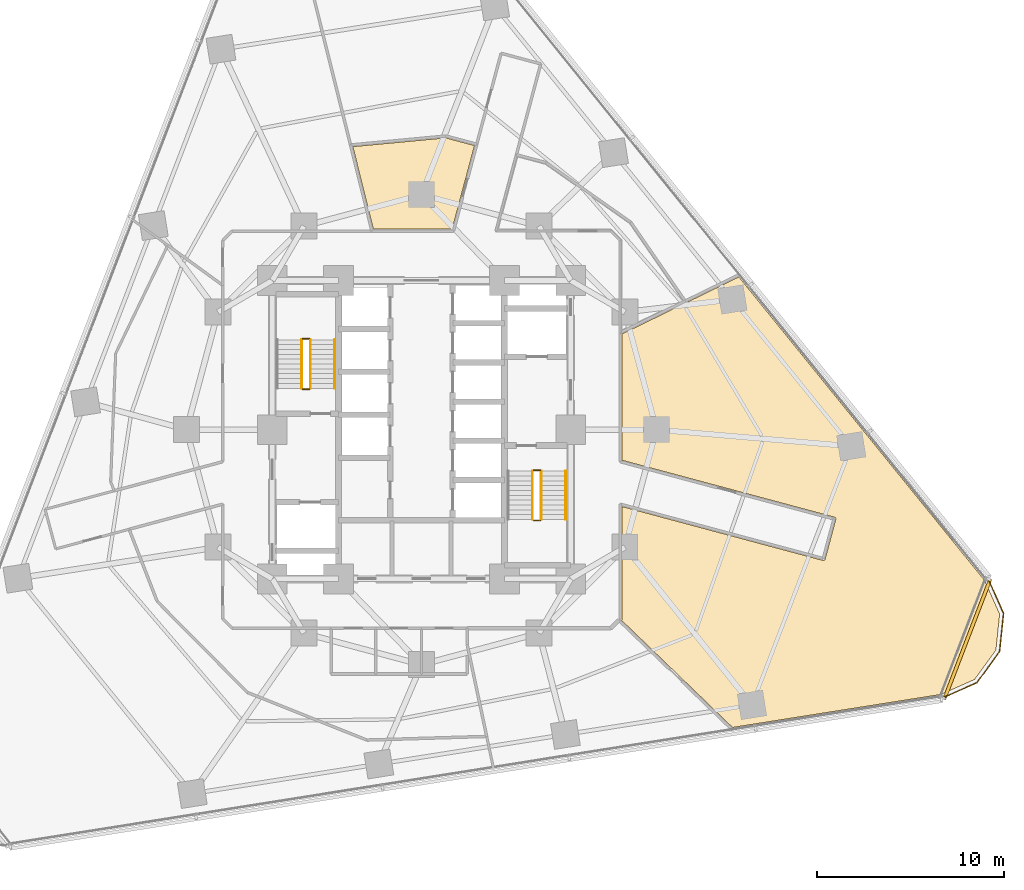
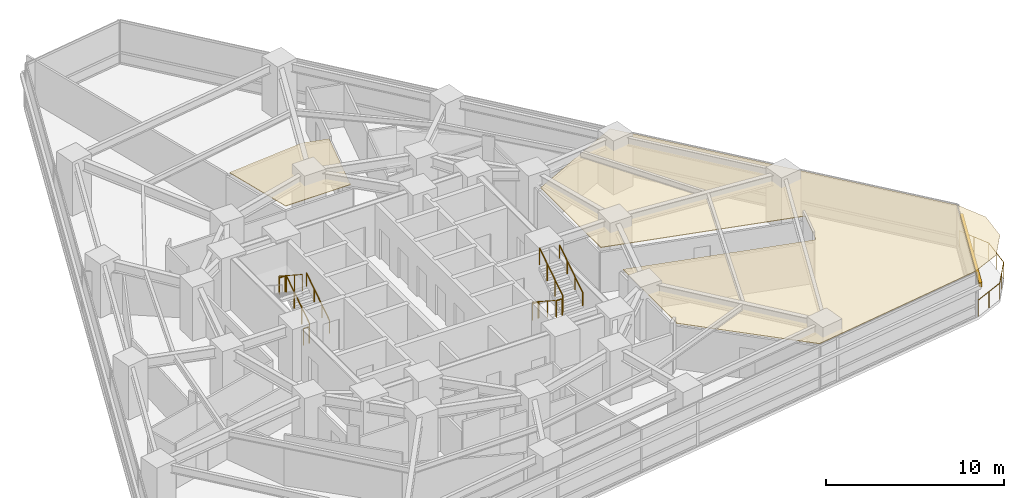
# One storey, part 13 of 14: 11 railings, 2 coverings, 1 shading device.
"""IFC4 building model written with IfcOpenShell, lengths in metres."""

from ifc_helpers import new_model, si_unit, direction, frame, origin, origin_2d, place, context, subcontext, project, spatial, polyline, rectangle, circle, outline, extrude, material, layer, layer_set, type_object, element, save


model = new_model("IFC4")

# Units and contexts
model_context = context("Model", 3, precision=1e-05, world=origin(), true_north=direction((0.0, 1.0)))
body_context = subcontext(model_context, "Body", "Model", "MODEL_VIEW")
ifc_project = project(units=[si_unit("LENGTHUNIT", "METRE"), si_unit("AREAUNIT", "SQUARE_METRE"), si_unit("VOLUMEUNIT", "CUBIC_METRE"), si_unit("PLANEANGLEUNIT", "RADIAN"), si_unit("MASSUNIT", "GRAM", prefix="KILO")], contexts=[model_context])

# Site, building, storey
site_placement = place(None, origin())
site = spatial("IfcSite", under=ifc_project, at=site_placement, CompositionType="ELEMENT")
building_placement = place(site_placement, origin())
building = spatial("IfcBuilding", under=site, at=building_placement, Name="Terralouvre Media Tower", CompositionType="ELEMENT")
storey_placement = place(building_placement, frame((0.0, 0.0, 74.10009765625)))
storey = spatial("IfcBuildingStorey", under=building, at=storey_placement, Name="L18", CompositionType="ELEMENT", Elevation=74.10009765625)

# Coverings
ifc_material_1 = material(Name="Perforated aluminium acoustic ceiling baffle", Category="aluminium")
ifc_layer_1 = layer(ifc_material_1, 0.0400390625, Name="Perforated Acoustic Metal Tile Ceiling CL-AC1")
ifc_layer_set_1 = layer_set([ifc_layer_1], Name="Perforated aluminium acoustic ceiling baffle")
covering_type = type_object("IfcCoveringType", Name="Perforated Acoustic Metal Tile Ceiling CL-AC1", PredefinedType="CEILING", material=ifc_layer_set_1)
covering_1_placement = place(storey_placement, frame((0.0, 0.0, 2.97998046875), z_axis=(0.0, 0.0, 1.0), x_axis=(0.987688340595, 0.15643446504, 0.0)))
element("IfcCovering", 1, at=covering_1_placement, inside=storey, type_object=covering_type, Name="L18 Podcast Host Green Lounge 1 Acoustic Ceiling", PredefinedType="CEILING", context=body_context, shape_type="SweptSolid", body=[
    extrude(outline(polyline([(13.974609375, -18.378662109375), (25.29052734375, -18.37890625), (27.196533203125, -17.8681640625), (28.56982421875, -16.494384765625), (29.072021484375, -14.617919921875), (28.561767578125, -12.71337890625), (18.0888671875, 5.42626953125), (15.073974609375, 4.50341796875), (11.42041015625, 3.38671875), (10.361328125, -3.2998046875), (21.134521484375, -8.09619140625), (21.143310546875, -8.1005859375), (21.151611328125, -8.10595703125), (21.159423828125, -8.112060546875), (21.16650390625, -8.118896484375), (21.1728515625, -8.126220703125), (21.178466796875, -8.13427734375), (21.183349609375, -8.142822265625), (21.187255859375, -8.15185546875), (21.1904296875, -8.1611328125), (21.1923828125, -8.170654296875), (21.193603515625, -8.180419921875), (21.19384765625, -8.190185546875), (21.193115234375, -8.199951171875), (21.19140625, -8.209716796875), (21.188720703125, -8.21923828125), (21.185302734375, -8.228271484375), (20.289794921875, -10.238037109375), (20.285400390625, -10.24658203125), (20.280029296875, -10.255126953125), (20.274169921875, -10.2626953125), (20.267333984375, -10.269775390625), (20.259765625, -10.2763671875), (20.251708984375, -10.281982421875), (20.2431640625, -10.28662109375), (20.234375, -10.29052734375), (20.22509765625, -10.293701171875), (20.21533203125, -10.2958984375), (20.20556640625, -10.297119140625), (20.19580078125, -10.297119140625), (20.18603515625, -10.29638671875), (20.176513671875, -10.294921875), (20.1669921875, -10.292236328125), (20.15771484375, -10.28857421875), (9.972900390625, -5.753173828125), (9.02978515625, -11.706787109375), (9.02783203125, -11.71630859375), (9.02490234375, -11.7255859375), (9.02099609375, -11.734619140625), (9.016357421875, -11.743408203125), (9.0107421875, -11.75146484375), (9.00439453125, -11.759033203125), (8.99755859375, -11.765869140625), (8.994140625, -11.7685546875), (13.974609375, -18.378662109375)])), origin(), (0.0, 0.0, 1.0), 0.0400390625),
])
covering_2_placement = place(storey_placement, frame((0.0, 0.0, 2.97998046875), z_axis=(0.0, 0.0, 1.0), x_axis=(0.987688340595, 0.15643446504, 0.0)))
element("IfcCovering", 2, at=covering_2_placement, inside=storey, type_object=covering_type, Name="L18 Editorial Collaborative Open Office 3 Acoustic Ceiling", PredefinedType="CEILING", context=body_context, shape_type="SweptSolid", body=[
    extrude(outline(polyline([(-1.261474609375, 15.565185546875), (-0.863525390625, 11.020751953125), (3.2998046875, 10.361328125), (5.188720703125, 14.603271484375), (3.73095703125, 15.248779296875), (-1.261474609375, 15.565185546875)])), origin(), (0.0, 0.0, 1.0), 0.0400390625),
])

# Railings
ifc_material_2 = material(Name="Stainless steel 316 handrail and balustrade", Category="steel")
ifc_layer_2 = layer(ifc_material_2, 0.06005859375, Name="Roof Edge Safety Guardrail GR-ROOF1")
ifc_layer_set_2 = layer_set([ifc_layer_2], Name="Stainless steel 316 handrail and balustrade")
railing_type_1 = type_object("IfcRailingType", Name="Roof Edge Safety Guardrail GR-ROOF1", PredefinedType="GUARDRAIL", material=ifc_layer_set_2)
railing_1_placement = place(storey_placement, frame((27.904296875, -14.401611328125, 0.0)))
element("IfcRailing", 3, at=railing_1_placement, inside=storey, type_object=railing_type_1, Name="L18 Wind-Corner Perimeter Safety Guardrail C1", PredefinedType="GUARDRAIL", context=body_context, shape_type="SweptSolid", body=[
    extrude(circle(Radius=0.02099609375, at=origin_2d()), frame((0.0, 0.0, 1.12890625), z_axis=(0.91366973946, 0.40645738669, 0.0), x_axis=(-0.40645738669, 0.91366973946, 0.0)), (0.0, 0.0, 1.0), 2.0595703125),
    extrude(circle(Radius=0.02099609375, at=origin_2d()), frame((1.8818359375, 0.837158203125, 1.12890625), z_axis=(0.587868563624, 0.808956458595, 0.0), x_axis=(-0.808956458595, 0.587868563624, 0.0)), (0.0, 0.0, 1.0), 2.0595703125),
    extrude(circle(Radius=0.02099609375, at=origin_2d()), frame((3.092529296875, 2.503173828125, 1.12890625), z_axis=(0.104456420886, 0.99452946469, 0.0), x_axis=(-0.99452946469, 0.104456420886, 0.0)), (0.0, 0.0, 1.0), 2.05908203125),
    extrude(circle(Radius=0.02099609375, at=origin_2d()), frame((3.3076171875, 4.551025390625, 1.12890625), z_axis=(-0.406996026336, 0.913429928646, 0.0), x_axis=(-0.913429928646, -0.406996026336, 0.0)), (0.0, 0.0, 1.0), 2.059814453125),
    extrude(circle(Radius=0.01904296875, at=origin_2d()), origin(), (0.0, 0.0, 1.0), 1.10791015625),
    extrude(circle(Radius=0.01904296875, at=origin_2d()), frame((0.94091796875, 0.41845703125, 0.0)), (0.0, 0.0, 1.0), 1.10791015625),
    extrude(circle(Radius=0.01904296875, at=origin_2d()), frame((1.8818359375, 0.837158203125, 0.0)), (0.0, 0.0, 1.0), 1.10791015625),
    extrude(circle(Radius=0.01904296875, at=origin_2d()), frame((2.4873046875, 1.670166015625, 0.0)), (0.0, 0.0, 1.0), 1.10791015625),
    extrude(circle(Radius=0.01904296875, at=origin_2d()), frame((3.092529296875, 2.503173828125, 0.0)), (0.0, 0.0, 1.0), 1.10791015625),
    extrude(circle(Radius=0.01904296875, at=origin_2d()), frame((3.2001953125, 3.527099609375, 0.0)), (0.0, 0.0, 1.0), 1.10791015625),
    extrude(circle(Radius=0.01904296875, at=origin_2d()), frame((3.3076171875, 4.551025390625, 0.0)), (0.0, 0.0, 1.0), 1.10791015625),
    extrude(circle(Radius=0.01904296875, at=origin_2d()), frame((2.888427734375, 5.49169921875, 0.0)), (0.0, 0.0, 1.0), 1.10791015625),
    extrude(circle(Radius=0.01904296875, at=origin_2d()), frame((2.46923828125, 6.4326171875, 0.0)), (0.0, 0.0, 1.0), 1.10791015625),
])
ifc_material_3 = material(Name="Stainless steel 316 handrail and balustrade", Category="steel")
ifc_layer_3 = layer(ifc_material_3, 0.050048828125, Name="Stair Flight Wall Handrail HR-INT1")
ifc_layer_set_3 = layer_set([ifc_layer_3], Name="Stainless steel 316 handrail and balustrade")
railing_type_2 = type_object("IfcRailingType", Name="Stair Flight Wall Handrail HR-INT1", PredefinedType="HANDRAIL", material=ifc_layer_set_3)
for number, where, name in (
    (4, (-4.64990234375, 2.219970703125, 0.16796875), "L18 ST-01 stair handrail 1"),
    (5, (7.72998046875, -4.820068359375, 2.01806640625), "L18 ST-02 stair handrail 2"),
):
    element("IfcRailing", number, at=place(storey_placement, frame(where)), inside=storey, type_object=railing_type_2, Name=name, PredefinedType="HANDRAIL", context=body_context, shape_type="SweptSolid", body=[
        extrude(circle(Radius=0.02392578125, at=origin_2d()), frame((0.0, 0.0, 0.8759765625), z_axis=(0.0, 0.839648411786, 0.543130320075), x_axis=(-1.0, 0.0, 0.0)), (0.0, 0.0, 1.0), 3.0966796875),
        extrude(circle(Radius=0.02099609375, at=origin_2d()), origin(), (0.0, 0.0, 1.0), 0.851806640625),
        extrude(circle(Radius=0.02099609375, at=origin_2d()), frame((0.0, 0.86669921875, 0.560546875)), (0.0, 0.0, 1.0), 0.851806640625),
        extrude(circle(Radius=0.02099609375, at=origin_2d()), frame((0.0, 1.7333984375, 1.121337890625)), (0.0, 0.0, 1.0), 0.851806640625),
        extrude(circle(Radius=0.02099609375, at=origin_2d()), frame((0.0, 2.60009765625, 1.681884765625)), (0.0, 0.0, 1.0), 0.851806640625),
    ])
ifc_material_4 = material(Name="Stainless steel 316 handrail and balustrade", Category="steel")
ifc_layer_4 = layer(ifc_material_4, 0.050048828125, Name="Stairwell Safety Guardrail GR-INT1")
ifc_layer_set_4 = layer_set([ifc_layer_4], Name="Stainless steel 316 handrail and balustrade")
railing_type_3 = type_object("IfcRailingType", Name="Stairwell Safety Guardrail GR-INT1", PredefinedType="GUARDRAIL", material=ifc_layer_set_4)
railing_2_placement = place(storey_placement, frame((-5.949951171875, 2.219970703125, 0.16796875)))
element("IfcRailing", 6, at=railing_2_placement, inside=storey, type_object=railing_type_3, Name="L18 ST-01 stair guard 1", PredefinedType="GUARDRAIL", context=body_context, shape_type="SweptSolid", body=[
    extrude(circle(Radius=0.02392578125, at=origin_2d()), frame((0.0, 0.0, 1.1259765625), z_axis=(0.0, 0.839648411786, 0.543130320075), x_axis=(-1.0, 0.0, 0.0)), (0.0, 0.0, 1.0), 3.0966796875),
    extrude(circle(Radius=0.02099609375, at=origin_2d()), origin(), (0.0, 0.0, 1.0), 1.101806640625),
    extrude(circle(Radius=0.02099609375, at=origin_2d()), frame((0.0, 0.86669921875, 0.560546875)), (0.0, 0.0, 1.0), 1.101806640625),
    extrude(circle(Radius=0.02099609375, at=origin_2d()), frame((0.0, 1.7333984375, 1.121337890625)), (0.0, 0.0, 1.0), 1.101806640625),
    extrude(circle(Radius=0.02099609375, at=origin_2d()), frame((0.0, 2.60009765625, 1.681884765625)), (0.0, 0.0, 1.0), 1.101806640625),
])
railing_3_placement = place(storey_placement, frame((-6.0, 4.8701171875, 1.849853515625)))
element("IfcRailing", 7, at=railing_3_placement, inside=storey, type_object=railing_type_3, Name="L18 ST-01 stair guard 2", PredefinedType="GUARDRAIL", context=body_context, shape_type="SweptSolid", body=[
    extrude(circle(Radius=0.02392578125, at=origin_2d()), frame((0.0, 0.0, 1.1259765625), z_axis=(-1.0, 0.0, 0.0), x_axis=(0.0, -1.0, 0.0)), (0.0, 0.0, 1.0), 0.3798828125),
    extrude(circle(Radius=0.02099609375, at=origin_2d()), origin(), (0.0, 0.0, 1.0), 1.101806640625),
    extrude(circle(Radius=0.02099609375, at=origin_2d()), frame((-0.3798828125, 0.0, 0.0)), (0.0, 0.0, 1.0), 1.101806640625),
])
railing_4_placement = place(storey_placement, frame((-6.429931640625, 4.820068359375, 2.01806640625)))
element("IfcRailing", 8, at=railing_4_placement, inside=storey, type_object=railing_type_3, Name="L18 ST-01 stair guard 3", PredefinedType="GUARDRAIL", context=body_context, shape_type="SweptSolid", body=[
    extrude(circle(Radius=0.02392578125, at=origin_2d()), frame((0.0, 0.0, 1.1259765625), z_axis=(0.0, -0.839648411786, 0.543130320075), x_axis=(1.0, 0.0, 0.0)), (0.0, 0.0, 1.0), 3.0966796875),
    extrude(circle(Radius=0.02099609375, at=origin_2d()), origin(), (0.0, 0.0, 1.0), 1.101806640625),
    extrude(circle(Radius=0.02099609375, at=origin_2d()), frame((0.0, -0.86669921875, 0.560546875)), (0.0, 0.0, 1.0), 1.101806640625),
    extrude(circle(Radius=0.02099609375, at=origin_2d()), frame((0.0, -1.7333984375, 1.121337890625)), (0.0, 0.0, 1.0), 1.101806640625),
    extrude(circle(Radius=0.02099609375, at=origin_2d()), frame((0.0, -2.60009765625, 1.681884765625)), (0.0, 0.0, 1.0), 1.101806640625),
])
railing_5_placement = place(storey_placement, frame((-6.0, 2.169921875, 0.0)))
element("IfcRailing", 9, at=railing_5_placement, inside=storey, type_object=railing_type_3, Name="L18 ST-01 stair guard 4", PredefinedType="GUARDRAIL", context=body_context, shape_type="SweptSolid", body=[
    extrude(circle(Radius=0.02392578125, at=origin_2d()), frame((0.0, 0.0, 1.1259765625), z_axis=(-1.0, 0.0, 0.0), x_axis=(0.0, -1.0, 0.0)), (0.0, 0.0, 1.0), 0.3798828125),
    extrude(circle(Radius=0.02099609375, at=origin_2d()), origin(), (0.0, 0.0, 1.0), 1.101806640625),
    extrude(circle(Radius=0.02099609375, at=origin_2d()), frame((-0.3798828125, 0.0, 0.0)), (0.0, 0.0, 1.0), 1.101806640625),
])
railing_6_placement = place(storey_placement, frame((5.949951171875, -2.219970703125, 0.16796875)))
element("IfcRailing", 10, at=railing_6_placement, inside=storey, type_object=railing_type_3, Name="L18 ST-02 stair guard 1", PredefinedType="GUARDRAIL", context=body_context, shape_type="SweptSolid", body=[
    extrude(circle(Radius=0.02392578125, at=origin_2d()), frame((0.0, 0.0, 1.1259765625), z_axis=(0.0, -0.839648411786, 0.543130320075), x_axis=(1.0, 0.0, 0.0)), (0.0, 0.0, 1.0), 3.0966796875),
    extrude(circle(Radius=0.02099609375, at=origin_2d()), origin(), (0.0, 0.0, 1.0), 1.101806640625),
    extrude(circle(Radius=0.02099609375, at=origin_2d()), frame((0.0, -0.86669921875, 0.560546875)), (0.0, 0.0, 1.0), 1.101806640625),
    extrude(circle(Radius=0.02099609375, at=origin_2d()), frame((0.0, -1.7333984375, 1.121337890625)), (0.0, 0.0, 1.0), 1.101806640625),
    extrude(circle(Radius=0.02099609375, at=origin_2d()), frame((0.0, -2.60009765625, 1.681884765625)), (0.0, 0.0, 1.0), 1.101806640625),
])
railing_7_placement = place(storey_placement, frame((6.0, -4.8701171875, 1.849853515625)))
element("IfcRailing", 11, at=railing_7_placement, inside=storey, type_object=railing_type_3, Name="L18 ST-02 stair guard 2", PredefinedType="GUARDRAIL", context=body_context, shape_type="SweptSolid", body=[
    extrude(circle(Radius=0.02392578125, at=origin_2d()), frame((0.0, 0.0, 1.1259765625), z_axis=(1.0, 0.0, 0.0), x_axis=(0.0, 1.0, 0.0)), (0.0, 0.0, 1.0), 0.3798828125),
    extrude(circle(Radius=0.02099609375, at=origin_2d()), origin(), (0.0, 0.0, 1.0), 1.101806640625),
    extrude(circle(Radius=0.02099609375, at=origin_2d()), frame((0.3798828125, 0.0, 0.0)), (0.0, 0.0, 1.0), 1.101806640625),
])
railing_8_placement = place(storey_placement, frame((6.429931640625, -4.820068359375, 2.01806640625)))
element("IfcRailing", 12, at=railing_8_placement, inside=storey, type_object=railing_type_3, Name="L18 ST-02 stair guard 3", PredefinedType="GUARDRAIL", context=body_context, shape_type="SweptSolid", body=[
    extrude(circle(Radius=0.02392578125, at=origin_2d()), frame((0.0, 0.0, 1.1259765625), z_axis=(0.0, 0.839648411786, 0.543130320075), x_axis=(-1.0, 0.0, 0.0)), (0.0, 0.0, 1.0), 3.0966796875),
    extrude(circle(Radius=0.02099609375, at=origin_2d()), origin(), (0.0, 0.0, 1.0), 1.101806640625),
    extrude(circle(Radius=0.02099609375, at=origin_2d()), frame((0.0, 0.86669921875, 0.560546875)), (0.0, 0.0, 1.0), 1.101806640625),
    extrude(circle(Radius=0.02099609375, at=origin_2d()), frame((0.0, 1.7333984375, 1.121337890625)), (0.0, 0.0, 1.0), 1.101806640625),
    extrude(circle(Radius=0.02099609375, at=origin_2d()), frame((0.0, 2.60009765625, 1.681884765625)), (0.0, 0.0, 1.0), 1.101806640625),
])
railing_9_placement = place(storey_placement, frame((6.0, -2.169921875, 0.0)))
element("IfcRailing", 13, at=railing_9_placement, inside=storey, type_object=railing_type_3, Name="L18 ST-02 stair guard 4", PredefinedType="GUARDRAIL", context=body_context, shape_type="SweptSolid", body=[
    extrude(circle(Radius=0.02392578125, at=origin_2d()), frame((0.0, 0.0, 1.1259765625), z_axis=(1.0, 0.0, 0.0), x_axis=(0.0, 1.0, 0.0)), (0.0, 0.0, 1.0), 0.3798828125),
    extrude(circle(Radius=0.02099609375, at=origin_2d()), origin(), (0.0, 0.0, 1.0), 1.101806640625),
    extrude(circle(Radius=0.02099609375, at=origin_2d()), frame((0.3798828125, 0.0, 0.0)), (0.0, 0.0, 1.0), 1.101806640625),
])

# Shading device
ifc_material_5 = material(Name="Extruded terracotta baguette sunshade louvres", Category="masonry")
shading_device_type = type_object("IfcShadingDeviceType", Name="Terracotta Baguette Sunshade Louvre Screen TB-LV1", PredefinedType="USERDEFINED", material=ifc_material_5)
shading_device_placement = place(storey_placement, frame((29.264892578125, -11.23388671875, 2.02392578125), z_axis=(0.0, 0.0, 1.0), x_axis=(0.358367472863, 0.933580609478, 0.0)))
element("IfcShadingDevice", 14, at=shading_device_placement, inside=storey, type_object=shading_device_type, Name="CW-L18-C1 Terracotta Baguette Sunshade Louvre", ObjectType="BAGUETTE", PredefinedType="USERDEFINED", context=body_context, shape_type="SweptSolid", body=[
    extrude(rectangle(XDim=6.8935546875, YDim=0.179931640625, at=origin_2d()), origin(), (0.0, 0.0, 1.0), 0.280029296875),
])

save(model, "model.ifc")
